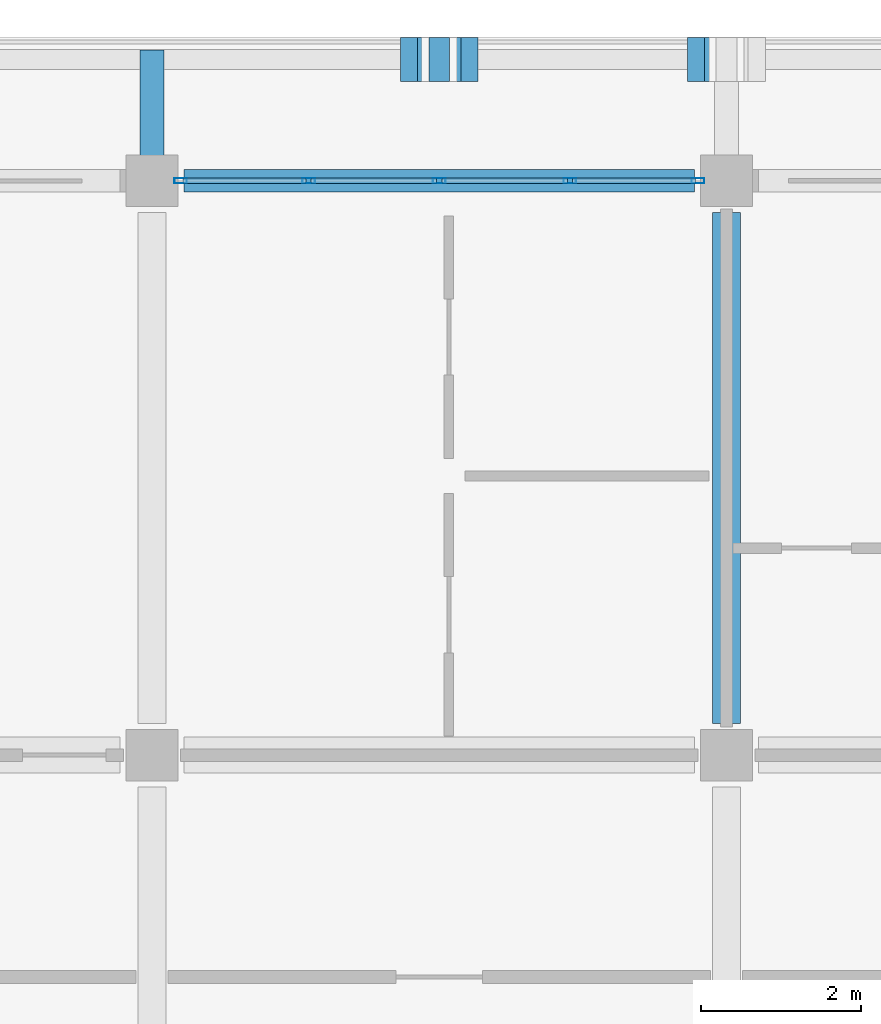
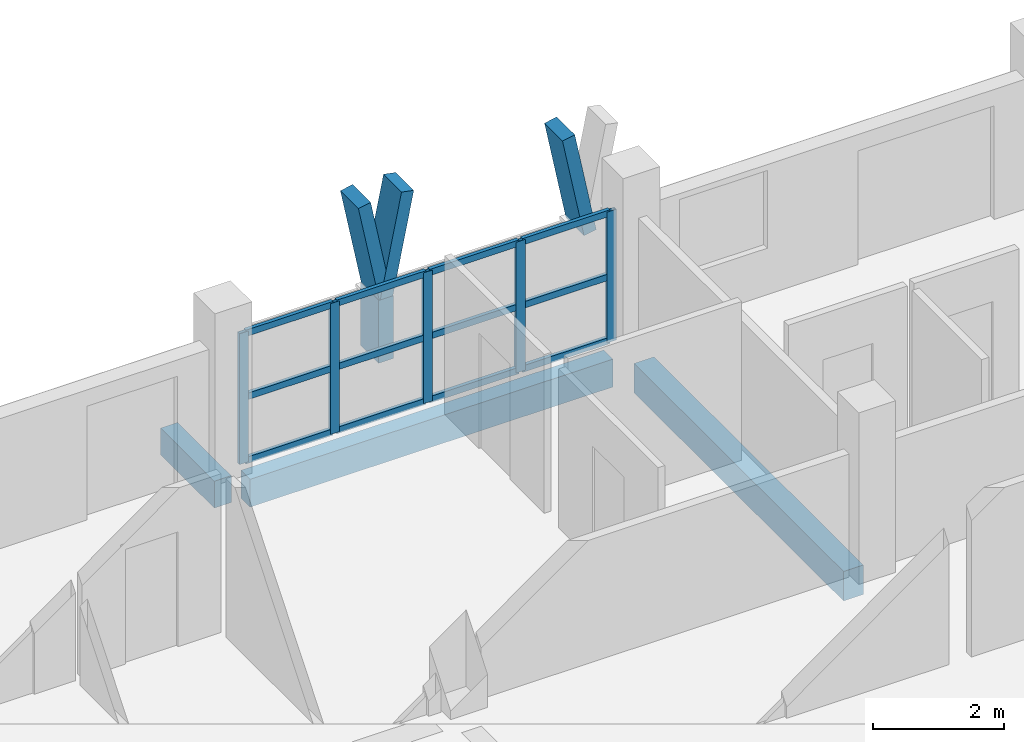
# One storey, part 75 of 157: 21 members, 3 beams, 1 element without a shape of its own.
"""IFC4 building model written with IfcOpenShell, lengths in metres."""

from ifc_helpers import new_model, si_unit, direction, frame, origin, origin_2d, place, context, subcontext, project, spatial, rectangle, hollow_rectangle, extrude, material, material_profile, profile_set, type_object, element, aggregate, save


model = new_model("IFC4")

# Units and contexts
model_context = context("Model", 3, precision=1e-05, world=origin(), true_north=direction((0.0, 1.0)))
body_context = subcontext(model_context, "Body", "Model", "MODEL_VIEW")
ifc_project = project(units=[si_unit("LENGTHUNIT", "METRE"), si_unit("AREAUNIT", "SQUARE_METRE"), si_unit("VOLUMEUNIT", "CUBIC_METRE"), si_unit("PLANEANGLEUNIT", "RADIAN"), si_unit("MASSUNIT", "GRAM", prefix="KILO")], contexts=[model_context])

# Site, building, storey
site_placement = place(None, origin())
site = spatial("IfcSite", under=ifc_project, at=site_placement, CompositionType="ELEMENT")
building_placement = place(site_placement, origin())
building = spatial("IfcBuilding", under=site, at=building_placement, Name="Suanplinth Sawtooth Commons", CompositionType="ELEMENT")
storey_placement = place(building_placement, frame((0.0, 0.0, 9.0)))
storey = spatial("IfcBuildingStorey", under=building, at=storey_placement, Name="L02", CompositionType="ELEMENT", Elevation=9.0)

# Beams
ifc_material_1 = material(Name="Precast concrete C40/50", Category="concrete")
ifc_material_profile_1 = material_profile(ifc_material_1, rectangle(XDim=0.35009765625, YDim=0.550048828125, at=origin_2d()), Name="PC-BM 350x550")
ifc_profile_set_1 = profile_set([ifc_material_profile_1], Name="Precast concrete C40/50")
beam_type_1 = type_object("IfcBeamType", Name="B-06", PredefinedType="BEAM", material=ifc_profile_set_1)
beam_1_placement = place(storey_placement, frame((86.39990234375, 115.60009765625, -0.52490234375), z_axis=(0.0, 1.0, 0.0), x_axis=(-1.0, 0.0, 0.0)))
element("IfcBeam", 1, at=beam_1_placement, inside=storey, type_object=beam_type_1, Name="BMY-L02-A-12-16", PredefinedType="BEAM", context=body_context, shape_type="SweptSolid", body=[
    extrude(rectangle(XDim=0.35009765625, YDim=0.550048828125, at=origin_2d()), origin(), (0.0, 0.0, 1.0), 6.39990234375),
])
ifc_material_profile_2 = material_profile(ifc_material_1, rectangle(XDim=0.300048828125, YDim=0.5, at=origin_2d()), Name="PC-BM 300x500")
ifc_profile_set_2 = profile_set([ifc_material_profile_2], Name="Precast concrete C40/50")
beam_type_2 = type_object("IfcBeamType", Name="B-07", PredefinedType="BEAM", material=ifc_profile_set_2)
beam_2_placement = place(storey_placement, frame((79.199951171875, 122.39990234375, -0.429931640625), z_axis=(0.0, 1.0, 0.0), x_axis=(-1.0, 0.0, 0.0)))
element("IfcBeam", 2, at=beam_2_placement, inside=storey, type_object=beam_type_2, Name="Balcony Outrigger L02-A-N-11", PredefinedType="BEAM", context=body_context, shape_type="SweptSolid", body=[
    extrude(rectangle(XDim=0.300048828125, YDim=0.5, at=origin_2d()), origin(), (0.0, 0.0, 1.0), 1.64013671875),
])
ifc_material_profile_3 = material_profile(ifc_material_1, rectangle(XDim=0.280029296875, YDim=0.52001953125, at=origin_2d()), Name="PC-SP 280x520")
ifc_profile_set_3 = profile_set([ifc_material_profile_3], Name="Precast concrete C40/50")
beam_type_3 = type_object("IfcBeamType", Name="B-08", PredefinedType="SPANDREL", material=ifc_profile_set_3)
beam_3_placement = place(storey_placement, frame((79.60009765625, 122.39990234375, -0.510009765625), z_axis=(1.0, 0.0, 0.0), x_axis=(0.0, 1.0, 0.0)))
element("IfcBeam", 3, at=beam_3_placement, inside=storey, type_object=beam_type_3, Name="BMX-L02-A-11-17", PredefinedType="SPANDREL", context=body_context, shape_type="SweptSolid", body=[
    extrude(rectangle(XDim=0.280029296875, YDim=0.52001953125, at=origin_2d()), origin(), (0.0, 0.0, 1.0), 6.39990234375),
])

# Members
ifc_material_2 = material(Name="Pigmented precast concrete C40/50", Category="concrete")
ifc_material_profile_4 = material_profile(ifc_material_2, rectangle(XDim=0.260009765625, YDim=0.550048828125, at=origin_2d()), Name="PC-FIN 260x550")
ifc_profile_set_4 = profile_set([ifc_material_profile_4], Name="Pigmented precast concrete C40/50")
member_type_1 = type_object("IfcMemberType", Name="M-09", PredefinedType="USERDEFINED", material=ifc_profile_set_4)
member_1_placement = place(storey_placement, frame((82.800048828125, 123.919921875, 0.0), z_axis=(0.0, 0.0, 1.0), x_axis=(1.0, 0.0, 0.0)))
element("IfcMember", 4, at=member_1_placement, inside=storey, type_object=member_type_1, Name="Y-Blade Stem L02-A-N-08", ObjectType="SHADING FIN", PredefinedType="USERDEFINED", context=body_context, shape_type="SweptSolid", body=[
    extrude(rectangle(XDim=0.260009765625, YDim=0.550048828125, at=origin_2d()), origin(), (0.0, 0.0, 1.0), 1.169921875),
])
ifc_material_profile_5 = material_profile(ifc_material_2, rectangle(XDim=0.219970703125, YDim=0.550048828125, at=origin_2d()), Name="PC-FIN 220x550")
ifc_profile_set_5 = profile_set([ifc_material_profile_5], Name="Pigmented precast concrete C40/50")
member_type_2 = type_object("IfcMemberType", Name="M-10", PredefinedType="USERDEFINED", material=ifc_profile_set_5)
member_2_placement = place(storey_placement, frame((82.800048828125, 123.919921875, 1.1298828125), z_axis=(-0.196406855569, 0.0, 0.980522486782), x_axis=(0.980522486782, 0.0, 0.196406855569)))
element("IfcMember", 5, at=member_2_placement, inside=storey, type_object=member_type_2, Name="Y-Blade Arm L L02-A-N-08", ObjectType="SHADING FIN", PredefinedType="USERDEFINED", context=body_context, shape_type="SweptSolid", body=[
    extrude(rectangle(XDim=0.219970703125, YDim=0.550048828125, at=origin_2d()), origin(), (0.0, 0.0, 1.0), 1.93798828125),
])
for number, where, z_axis, x_axis, name in (
    (6, (82.800048828125, 123.919921875, 1.1298828125), (0.196285728346, 0.0, 0.980546741796), (-0.980546741796, 0.0, 0.196285728346), "Y-Blade Arm R L02-A-N-08"),
    (7, (86.39990234375, 123.919921875, 1.1298828125), (-0.196285728346, 0.0, 0.980546741796), (0.980546741796, 0.0, 0.196285728346), "Y-Blade Arm L L02-A-N-09"),
):
    element("IfcMember", number, at=place(storey_placement, frame(where, z_axis=z_axis, x_axis=x_axis)), inside=storey, type_object=member_type_2, Name=name, ObjectType="SHADING FIN", PredefinedType="USERDEFINED", context=body_context, shape_type="SweptSolid", body=[
        extrude(rectangle(XDim=0.219970703125, YDim=0.550048828125, at=origin_2d()), origin(), (0.0, 0.0, 1.0), 1.937744140625),
    ])

# Curtain wall, members
ifc_material_3 = material(Name="Anodized aluminium and low-E glazing", Category="aluminium")
curtain_wall_type = type_object("IfcCurtainWallType", Name="CW-06", PredefinedType="USERDEFINED", material=ifc_material_3)
curtain_wall_placement = place(storey_placement, origin())
curtain_wall = element("IfcCurtainWall", 8, at=curtain_wall_placement, inside=storey, type_object=curtain_wall_type, Name="Curtain Wall CW-L02-A-LOUNGE-11", ObjectType="CURTAIN WALL", PredefinedType="USERDEFINED")
ifc_material_4 = material(Name="Anodized aluminium 6063-T6", Category="aluminium")
ifc_material_profile_6 = material_profile(ifc_material_4, hollow_rectangle(XDim=0.06494140625, YDim=0.159912109375, WallThickness=0.00390625, at=origin_2d()), Name="ALU-MUL 65x160")
ifc_profile_set_6 = profile_set([ifc_material_profile_6], Name="Anodized aluminium 6063-T6")
member_type_3 = type_object("IfcMemberType", Name="M-13", PredefinedType="MULLION", material=ifc_profile_set_6)
member_3_placement = place(storey_placement, frame((79.5576171875, 122.39990234375, 0.0), z_axis=(0.0, 0.0, 1.0), x_axis=(0.0, 1.0, 0.0)))
member_3 = element("IfcMember", 9, at=member_3_placement, type_object=member_type_3, Name="CW-06 mullion 1", PredefinedType="MULLION", context=body_context, shape_type="SweptSolid", body=[
    extrude(hollow_rectangle(XDim=0.06494140625, YDim=0.159912109375, WallThickness=0.00390625, at=origin_2d()), origin(), (0.0, 0.0, 1.0), 2.43994140625),
])
member_4_placement = place(storey_placement, frame((81.16259765625, 122.39990234375, 0.0), z_axis=(0.0, 0.0, 1.0), x_axis=(0.0, 1.0, 0.0)))
member_4 = element("IfcMember", 10, at=member_4_placement, type_object=member_type_3, Name="CW-06 mullion 2", PredefinedType="MULLION", context=body_context, shape_type="SweptSolid", body=[
    extrude(hollow_rectangle(XDim=0.06494140625, YDim=0.159912109375, WallThickness=0.00390625, at=origin_2d()), origin(), (0.0, 0.0, 1.0), 2.43994140625),
])
member_5_placement = place(storey_placement, frame((82.800048828125, 122.39990234375, 0.0), z_axis=(0.0, 0.0, 1.0), x_axis=(0.0, 1.0, 0.0)))
member_5 = element("IfcMember", 11, at=member_5_placement, type_object=member_type_3, Name="CW-06 mullion 3", PredefinedType="MULLION", context=body_context, shape_type="SweptSolid", body=[
    extrude(hollow_rectangle(XDim=0.06494140625, YDim=0.159912109375, WallThickness=0.00390625, at=origin_2d()), origin(), (0.0, 0.0, 1.0), 2.43994140625),
])
member_6_placement = place(storey_placement, frame((84.4375, 122.39990234375, 0.0), z_axis=(0.0, 0.0, 1.0), x_axis=(0.0, 1.0, 0.0)))
member_6 = element("IfcMember", 12, at=member_6_placement, type_object=member_type_3, Name="CW-06 mullion 4", PredefinedType="MULLION", context=body_context, shape_type="SweptSolid", body=[
    extrude(hollow_rectangle(XDim=0.06494140625, YDim=0.159912109375, WallThickness=0.00390625, at=origin_2d()), origin(), (0.0, 0.0, 1.0), 2.43994140625),
])
member_7_placement = place(storey_placement, frame((86.04248046875, 122.39990234375, 0.0), z_axis=(0.0, 0.0, 1.0), x_axis=(0.0, 1.0, 0.0)))
member_7 = element("IfcMember", 13, at=member_7_placement, type_object=member_type_3, Name="CW-06 mullion 5", PredefinedType="MULLION", context=body_context, shape_type="SweptSolid", body=[
    extrude(hollow_rectangle(XDim=0.06494140625, YDim=0.159912109375, WallThickness=0.00390625, at=origin_2d()), origin(), (0.0, 0.0, 1.0), 2.43994140625),
])
ifc_material_profile_7 = material_profile(ifc_material_4, hollow_rectangle(XDim=0.06494140625, YDim=0.1201171875, WallThickness=0.00390625, at=origin_2d()), Name="ALU-TRN 65x120")
ifc_profile_set_7 = profile_set([ifc_material_profile_7], Name="Anodized aluminium 6063-T6")
member_type_4 = type_object("IfcMemberType", Name="M-15", PredefinedType="USERDEFINED", material=ifc_profile_set_7)
member_8_placement = place(storey_placement, frame((79.590087890625, 122.39990234375, 0.032470703125), z_axis=(1.0, 0.0, 0.0), x_axis=(0.0, 1.0, 0.0)))
member_8 = element("IfcMember", 14, at=member_8_placement, type_object=member_type_4, Name="CW-06 transom 1.1", ObjectType="TRANSOM", PredefinedType="USERDEFINED", context=body_context, shape_type="SweptSolid", body=[
    extrude(hollow_rectangle(XDim=0.06494140625, YDim=0.1201171875, WallThickness=0.00390625, at=origin_2d()), origin(), (0.0, 0.0, 1.0), 1.539794921875),
])
member_9_placement = place(storey_placement, frame((79.590087890625, 122.39990234375, 1.219970703125), z_axis=(1.0, 0.0, 0.0), x_axis=(0.0, 1.0, 0.0)))
member_9 = element("IfcMember", 15, at=member_9_placement, type_object=member_type_4, Name="CW-06 transom 1.2", ObjectType="TRANSOM", PredefinedType="USERDEFINED", context=body_context, shape_type="SweptSolid", body=[
    extrude(hollow_rectangle(XDim=0.06494140625, YDim=0.1201171875, WallThickness=0.00390625, at=origin_2d()), origin(), (0.0, 0.0, 1.0), 1.539794921875),
])
member_10_placement = place(storey_placement, frame((79.590087890625, 122.39990234375, 2.407470703125), z_axis=(1.0, 0.0, 0.0), x_axis=(0.0, 1.0, 0.0)))
member_10 = element("IfcMember", 16, at=member_10_placement, type_object=member_type_4, Name="CW-06 transom 1.3", ObjectType="TRANSOM", PredefinedType="USERDEFINED", context=body_context, shape_type="SweptSolid", body=[
    extrude(hollow_rectangle(XDim=0.06494140625, YDim=0.1201171875, WallThickness=0.00390625, at=origin_2d()), origin(), (0.0, 0.0, 1.0), 1.539794921875),
])
member_11_placement = place(storey_placement, frame((81.195068359375, 122.39990234375, 0.032470703125), z_axis=(1.0, 0.0, 0.0), x_axis=(0.0, 1.0, 0.0)))
member_11 = element("IfcMember", 17, at=member_11_placement, type_object=member_type_4, Name="CW-06 transom 2.1", ObjectType="TRANSOM", PredefinedType="USERDEFINED", context=body_context, shape_type="SweptSolid", body=[
    extrude(hollow_rectangle(XDim=0.06494140625, YDim=0.1201171875, WallThickness=0.00390625, at=origin_2d()), origin(), (0.0, 0.0, 1.0), 1.572509765625),
])
member_12_placement = place(storey_placement, frame((81.195068359375, 122.39990234375, 1.219970703125), z_axis=(1.0, 0.0, 0.0), x_axis=(0.0, 1.0, 0.0)))
member_12 = element("IfcMember", 18, at=member_12_placement, type_object=member_type_4, Name="CW-06 transom 2.2", ObjectType="TRANSOM", PredefinedType="USERDEFINED", context=body_context, shape_type="SweptSolid", body=[
    extrude(hollow_rectangle(XDim=0.06494140625, YDim=0.1201171875, WallThickness=0.00390625, at=origin_2d()), origin(), (0.0, 0.0, 1.0), 1.572509765625),
])
member_13_placement = place(storey_placement, frame((81.195068359375, 122.39990234375, 2.407470703125), z_axis=(1.0, 0.0, 0.0), x_axis=(0.0, 1.0, 0.0)))
member_13 = element("IfcMember", 19, at=member_13_placement, type_object=member_type_4, Name="CW-06 transom 2.3", ObjectType="TRANSOM", PredefinedType="USERDEFINED", context=body_context, shape_type="SweptSolid", body=[
    extrude(hollow_rectangle(XDim=0.06494140625, YDim=0.1201171875, WallThickness=0.00390625, at=origin_2d()), origin(), (0.0, 0.0, 1.0), 1.572509765625),
])
member_14_placement = place(storey_placement, frame((82.83251953125, 122.39990234375, 0.032470703125), z_axis=(1.0, 0.0, 0.0), x_axis=(0.0, 1.0, 0.0)))
member_14 = element("IfcMember", 20, at=member_14_placement, type_object=member_type_4, Name="CW-06 transom 3.1", ObjectType="TRANSOM", PredefinedType="USERDEFINED", context=body_context, shape_type="SweptSolid", body=[
    extrude(hollow_rectangle(XDim=0.06494140625, YDim=0.1201171875, WallThickness=0.00390625, at=origin_2d()), origin(), (0.0, 0.0, 1.0), 1.572509765625),
])
member_15_placement = place(storey_placement, frame((82.83251953125, 122.39990234375, 1.219970703125), z_axis=(1.0, 0.0, 0.0), x_axis=(0.0, 1.0, 0.0)))
member_15 = element("IfcMember", 21, at=member_15_placement, type_object=member_type_4, Name="CW-06 transom 3.2", ObjectType="TRANSOM", PredefinedType="USERDEFINED", context=body_context, shape_type="SweptSolid", body=[
    extrude(hollow_rectangle(XDim=0.06494140625, YDim=0.1201171875, WallThickness=0.00390625, at=origin_2d()), origin(), (0.0, 0.0, 1.0), 1.572509765625),
])
member_16_placement = place(storey_placement, frame((82.83251953125, 122.39990234375, 2.407470703125), z_axis=(1.0, 0.0, 0.0), x_axis=(0.0, 1.0, 0.0)))
member_16 = element("IfcMember", 22, at=member_16_placement, type_object=member_type_4, Name="CW-06 transom 3.3", ObjectType="TRANSOM", PredefinedType="USERDEFINED", context=body_context, shape_type="SweptSolid", body=[
    extrude(hollow_rectangle(XDim=0.06494140625, YDim=0.1201171875, WallThickness=0.00390625, at=origin_2d()), origin(), (0.0, 0.0, 1.0), 1.572509765625),
])
member_17_placement = place(storey_placement, frame((84.469970703125, 122.39990234375, 0.032470703125), z_axis=(1.0, 0.0, 0.0), x_axis=(0.0, 1.0, 0.0)))
member_17 = element("IfcMember", 23, at=member_17_placement, type_object=member_type_4, Name="CW-06 transom 4.1", ObjectType="TRANSOM", PredefinedType="USERDEFINED", context=body_context, shape_type="SweptSolid", body=[
    extrude(hollow_rectangle(XDim=0.06494140625, YDim=0.1201171875, WallThickness=0.00390625, at=origin_2d()), origin(), (0.0, 0.0, 1.0), 1.5400390625),
])
member_18_placement = place(storey_placement, frame((84.469970703125, 122.39990234375, 1.219970703125), z_axis=(1.0, 0.0, 0.0), x_axis=(0.0, 1.0, 0.0)))
member_18 = element("IfcMember", 24, at=member_18_placement, type_object=member_type_4, Name="CW-06 transom 4.2", ObjectType="TRANSOM", PredefinedType="USERDEFINED", context=body_context, shape_type="SweptSolid", body=[
    extrude(hollow_rectangle(XDim=0.06494140625, YDim=0.1201171875, WallThickness=0.00390625, at=origin_2d()), origin(), (0.0, 0.0, 1.0), 1.5400390625),
])
member_19_placement = place(storey_placement, frame((84.469970703125, 122.39990234375, 2.407470703125), z_axis=(1.0, 0.0, 0.0), x_axis=(0.0, 1.0, 0.0)))
member_19 = element("IfcMember", 25, at=member_19_placement, type_object=member_type_4, Name="CW-06 transom 4.3", ObjectType="TRANSOM", PredefinedType="USERDEFINED", context=body_context, shape_type="SweptSolid", body=[
    extrude(hollow_rectangle(XDim=0.06494140625, YDim=0.1201171875, WallThickness=0.00390625, at=origin_2d()), origin(), (0.0, 0.0, 1.0), 1.5400390625),
])
aggregate(curtain_wall, [member_3, member_4, member_5, member_6, member_7, member_8, member_9, member_10, member_11, member_12, member_13, member_14, member_15, member_16, member_17, member_18, member_19])

save(model, "model.ifc")
